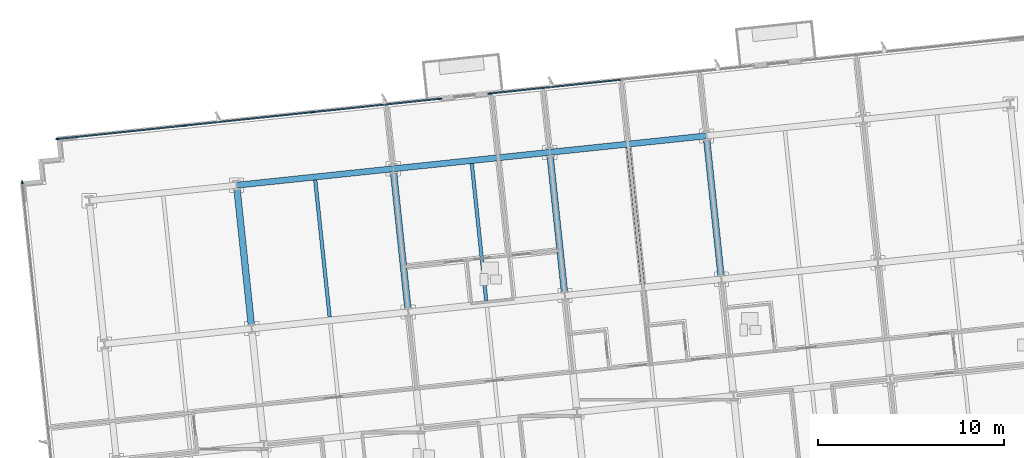
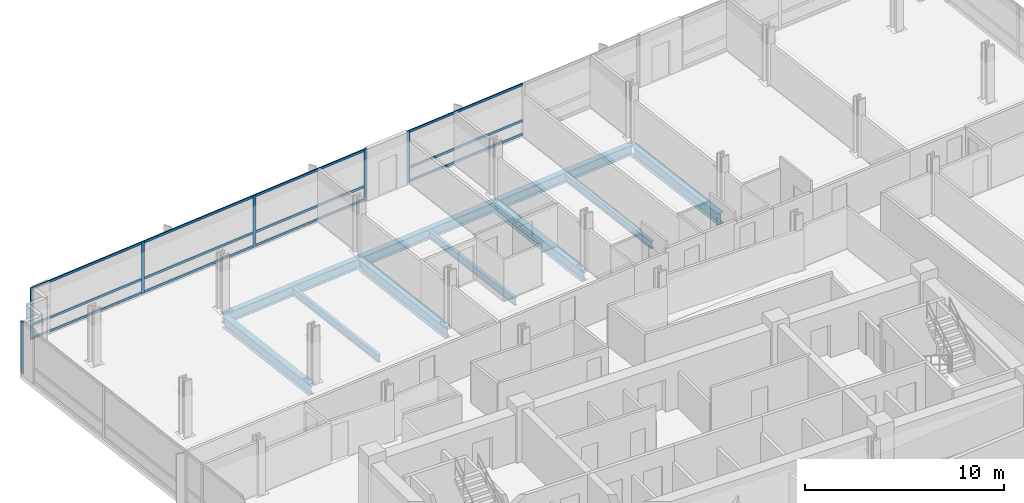
# One storey, part 7 of 17: 18 members, 10 beams, 3 elements without a shape of their own.
"""IFC4 building model written with IfcOpenShell, lengths in metres."""

import ifcopenshell
import ifcopenshell.guid

model = None  # the IFC model being written
_history = None  # IfcOwnerHistory: only IFC2X3 demands one
_inside = {}  # id of a spatial element -> (the spatial element, [elements in it])
_under = {}  # id of a project, library or spatial element -> (it, [spatial elements below it])
_declared = {}  # id of a project -> (the project, [libraries it declares])
_typed = {}  # id of a type object -> (the type object, [elements of that type])
_made_of = {}  # id of a material, layer set ... -> (it, [elements and type objects made of it])


def new_model(schema):
    """Start an empty IFC model of exactly this schema.

    Asked for "IFC4X3", IfcOpenShell would pick the latest addendum, in which some entities
    have other attributes; the version numbers below select the first issue.
    IFC2X3 requires an IfcOwnerHistory on every rooted entity: one is made here for all.
    """
    global model, _history
    if schema == "IFC4X3":
        model = ifcopenshell.file(schema_version=(4, 3, 0, 0))
    else:
        model = ifcopenshell.file(schema=schema)
    _inside.clear()
    _under.clear()
    _declared.clear()
    _typed.clear()
    _made_of.clear()
    _history = None
    if model.schema == "IFC2X3":
        org = make("IfcOrganization", Name="unknown")
        user = make(
            "IfcPersonAndOrganization",
            ThePerson=make("IfcPerson", FamilyName="unknown"),
            TheOrganization=org,
        )
        app = make(
            "IfcApplication",
            ApplicationDeveloper=org,
            Version="unknown",
            ApplicationFullName="unknown",
            ApplicationIdentifier="unknown",
        )
        _history = make(
            "IfcOwnerHistory",
            OwningUser=user,
            OwningApplication=app,
            ChangeAction="ADDED",
            CreationDate=0,
        )
    return model


def make(cls, **values):
    """One entity of the class cls with the attributes given. An attribute that is None is left unset."""
    return model.create_entity(
        cls, **{name: value for name, value in values.items() if value is not None}
    )


def rooted(cls, **values):
    """An entity with a GlobalId (a new one), such as an element, a storey or a relation."""
    return make(cls, GlobalId=ifcopenshell.guid.new(), OwnerHistory=_history, **values)


def si_unit(unit_type, name, prefix=None):
    """IfcSIUnit, for example si_unit("LENGTHUNIT", "METRE", prefix="MILLI")."""
    return make("IfcSIUnit", UnitType=unit_type, Prefix=prefix, Name=name)


def assignment(units):
    """IfcUnitAssignment: the units of a project."""
    return None if units is None else make("IfcUnitAssignment", Units=units)


def point(xyz):
    """IfcCartesianPoint."""
    return None if xyz is None else make("IfcCartesianPoint", Coordinates=xyz)


def direction(xyz):
    """IfcDirection."""
    return None if xyz is None else make("IfcDirection", DirectionRatios=xyz)


def frame(location, z_axis=None, x_axis=None):
    """IfcAxis2Placement3D, a coordinate frame: its origin and axes. An axis left out is left unset."""
    return make(
        "IfcAxis2Placement3D",
        Location=point(location),
        Axis=direction(z_axis),
        RefDirection=direction(x_axis),
    )


def frame_2d(location, x_axis=None):
    """IfcAxis2Placement2D, a coordinate frame in the plane: its origin and x axis."""
    return make(
        "IfcAxis2Placement2D", Location=point(location), RefDirection=direction(x_axis)
    )


def origin():
    """The frame at (0, 0, 0) with its axes left unset."""
    return frame((0.0, 0.0, 0.0))


def origin_2d():
    """The frame at (0, 0) in the plane with its x axis left unset."""
    return frame_2d((0.0, 0.0))


def place(relative_to, where):
    """IfcLocalPlacement: puts the frame where relative to a parent placement (None: the world)."""
    return make(
        "IfcLocalPlacement", PlacementRelTo=relative_to, RelativePlacement=where
    )


def context(
    kind, dimensions, precision=None, world=None, true_north=None, identifier=None
):
    """IfcGeometricRepresentationContext, for example the 3D "Model" context."""
    return make(
        "IfcGeometricRepresentationContext",
        ContextIdentifier=identifier,
        ContextType=kind,
        CoordinateSpaceDimension=dimensions,
        Precision=precision,
        WorldCoordinateSystem=world,
        TrueNorth=true_north,
    )


def subcontext(parent, identifier, kind, view, scale=None):
    """IfcGeometricRepresentationSubContext, for example "Body" below "Model"."""
    return make(
        "IfcGeometricRepresentationSubContext",
        ContextIdentifier=identifier,
        ContextType=kind,
        ParentContext=parent,
        TargetScale=scale,
        TargetView=view,
    )


def project(units=None, contexts=None):
    """IfcProject with its units and contexts."""
    return rooted(
        "IfcProject",
        Name="project",
        RepresentationContexts=contexts,
        UnitsInContext=assignment(units),
    )


def spatial(cls, under=None, at=None, **own):
    """A site, building, storey or space (cls), placed at a placement, below another one or the project."""
    s = rooted(cls, ObjectPlacement=at, **own)
    if under is not None:
        _under.setdefault(under.id(), (under, []))[1].append(s)
    return s


def profile(cls, at=None, kind="AREA", **sizes):
    """A parametric profile (cls). Its sizes go by their IFC names, for example OverallWidth=200.0."""
    return make(cls, ProfileType=kind, Position=at, **sizes)


def rectangle(**sizes):
    """IfcRectangleProfileDef."""
    return profile("IfcRectangleProfileDef", **sizes)


def i_section(**sizes):
    """IfcIShapeProfileDef."""
    return profile("IfcIShapeProfileDef", **sizes)


def extrude(swept, where, along, depth):
    """IfcExtrudedAreaSolid: the profile swept, set in the frame where, extruded along a direction by depth."""
    return make(
        "IfcExtrudedAreaSolid",
        SweptArea=swept,
        Position=where,
        ExtrudedDirection=direction(along),
        Depth=depth,
    )


def shape(context_of_items, identifier, shape_type, items):
    """IfcShapeRepresentation: the items that make up one representation, for example the "Body"."""
    return make(
        "IfcShapeRepresentation",
        ContextOfItems=context_of_items,
        RepresentationIdentifier=identifier,
        RepresentationType=shape_type,
        Items=items,
    )


def material(Name=None, Category=None):
    """IfcMaterial."""
    return make("IfcMaterial", Name=Name, Category=Category)


def material_profile(
    of_material, cross_section, Name=None, Category=None, Priority=None
):
    """IfcMaterialProfile: a cross section and its material."""
    return make(
        "IfcMaterialProfile",
        Name=Name,
        Material=of_material,
        Profile=cross_section,
        Priority=Priority,
        Category=Category,
    )


def profile_set(profiles, Name=None, composite=None):
    """IfcMaterialProfileSet."""
    return make(
        "IfcMaterialProfileSet",
        Name=Name,
        MaterialProfiles=profiles,
        CompositeProfile=composite,
    )


def made_of(thing, what):
    """Note that an element or type object is made of a material, layer set ...; save() writes the relation."""
    if what is not None:
        _made_of.setdefault(what.id(), (what, []))[1].append(thing)
    return thing


def type_object(cls, material=None, **own):
    """A type object (cls), such as IfcWallType, which elements share."""
    return made_of(rooted(cls, **own), material)


def element(
    cls,
    number,
    at=None,
    inside=None,
    cuts=None,
    type_object=None,
    material=None,
    context=None,
    identifier="Body",
    shape_type=None,
    held_by="IfcProductDefinitionShape",
    body=None,
    shapes=None,
    **own,
):
    """One element of the class cls, such as IfcWall. Its Tag is "e" and its number.

    at: its placement. inside: the storey or other place that contains it. cuts: it is an
    opening in that element (IfcRelVoidsElement). A single representation is given by context,
    identifier, shape_type and body (its items); several are given by shapes. held_by: the class
    of the entity that holds the representations. save() writes the other relations.
    """
    e = rooted(cls, Tag="e%d" % number, ObjectPlacement=at, **own)
    if body is not None:
        shapes = [shape(context, identifier, shape_type, body)]
    if shapes is not None:
        e.Representation = make(held_by, Representations=shapes)
    if inside is not None:
        _inside.setdefault(inside.id(), (inside, []))[1].append(e)
    if cuts is not None:
        rooted(
            "IfcRelVoidsElement", RelatingBuildingElement=cuts, RelatedOpeningElement=e
        )
    if type_object is not None:
        _typed.setdefault(type_object.id(), (type_object, []))[1].append(e)
    return made_of(e, material)


def aggregate(whole, parts):
    """IfcRelAggregates: a whole, such as a stair, and the parts it consists of."""
    return rooted("IfcRelAggregates", RelatingObject=whole, RelatedObjects=parts)


def save(model, path):
    """Write the relations noted so far, then the file.

    IfcRelAggregates (storeys below a building ...), IfcRelContainedInSpatialStructure (elements
    in a storey), IfcRelDefinesByType, IfcRelAssociatesMaterial and IfcRelDeclares: one each for
    every whole, place, type object, material and project.
    """
    for whole, parts in _under.values():
        aggregate(whole, parts)
    for where, things in _inside.values():
        rooted(
            "IfcRelContainedInSpatialStructure",
            RelatedElements=things,
            RelatingStructure=where,
        )
    for kind, things in _typed.values():
        rooted("IfcRelDefinesByType", RelatedObjects=things, RelatingType=kind)
    for what, things in _made_of.values():
        rooted("IfcRelAssociatesMaterial", RelatedObjects=things, RelatingMaterial=what)
    for by, libraries in _declared.values():
        rooted("IfcRelDeclares", RelatingContext=by, RelatedDefinitions=libraries)
    model.write(path)


model = new_model("IFC4")

# Units and contexts
model_context = context("Model", 3, precision=1e-05, world=origin(), true_north=direction((0.0, 1.0)))
body_context = subcontext(model_context, "Body", "Model", "MODEL_VIEW")
ifc_project = project(units=[si_unit("LENGTHUNIT", "METRE"), si_unit("AREAUNIT", "SQUARE_METRE"), si_unit("VOLUMEUNIT", "CUBIC_METRE"), si_unit("PLANEANGLEUNIT", "RADIAN"), si_unit("MASSUNIT", "GRAM", prefix="KILO")], contexts=[model_context])

# Site, building, storey
site_placement = place(None, origin())
site = spatial("IfcSite", under=ifc_project, at=site_placement, CompositionType="ELEMENT")
building_placement = place(site_placement, origin())
building = spatial("IfcBuilding", under=site, at=building_placement, Name="Solmavex Isthmus Hotel", CompositionType="ELEMENT")
storey_placement = place(building_placement, frame((0.0, 0.0, 90.449951171875)))
storey = spatial("IfcBuildingStorey", under=building, at=storey_placement, Name="L24", CompositionType="ELEMENT", Elevation=90.449951171875)

# Beams
ifc_material_1 = material(Name="Steel ASTM A992 Grade 50", Category="steel")
ifc_material_profile_1 = material_profile(ifc_material_1, i_section(OverallWidth=0.354736328125, OverallDepth=0.695556640625, WebThickness=0.015380859375, FlangeThickness=0.02490234375, FilletRadius=0.017822265625, at=origin_2d()), Name="W27X146")
ifc_profile_set_1 = profile_set([ifc_material_profile_1], Name="Steel ASTM A992 Grade 50")
beam_type_1 = type_object("IfcBeamType", Name="BM-BG-W27X146", PredefinedType="BEAM", material=ifc_profile_set_1)
for number, where, z_axis, x_axis, name in (
    (1, (-13.135498046875, 8.55859375, -0.607666015625), (-0.1045578893, 0.994518802128, 0.0), (-0.994518802128, -0.1045578893, 0.0), "Floor Beam L24-VG31"),
    (2, (-4.716064453125, 9.443603515625, -0.607666015625), (-0.104525307271, 0.994522227072, 0.0), (-0.994522227072, -0.104525307271, 0.0), "Floor Beam L24-VG35"),
):
    element("IfcBeam", number, at=place(storey_placement, frame(where, z_axis=z_axis, x_axis=x_axis)), inside=storey, type_object=beam_type_1, Name=name, PredefinedType="BEAM", context=body_context, shape_type="SweptSolid", body=[
        extrude(i_section(OverallWidth=0.354736328125, OverallDepth=0.695556640625, WebThickness=0.015380859375, FlangeThickness=0.02490234375, FilletRadius=0.017822265625, at=origin_2d()), origin(), (0.0, 0.0, 1.0), 7.4111328125),
    ])
beam_1_placement = place(storey_placement, frame((3.70361328125, 10.328369140625, -0.607666015625), z_axis=(-0.10452188296, 0.994522586964, 0.0), x_axis=(-0.994522586964, -0.10452188296, 0.0)))
element("IfcBeam", 3, at=beam_1_placement, inside=storey, type_object=beam_type_1, Name="Floor Beam L24-VG39", PredefinedType="BEAM", context=body_context, shape_type="SweptSolid", body=[
    extrude(i_section(OverallWidth=0.354736328125, OverallDepth=0.695556640625, WebThickness=0.015380859375, FlangeThickness=0.02490234375, FilletRadius=0.017822265625, at=origin_2d()), origin(), (0.0, 0.0, 1.0), 7.411376953125),
])
beam_2_placement = place(storey_placement, frame((12.123291015625, 11.21337890625, -0.607666015625), z_axis=(-0.104525307271, 0.994522227072, 0.0), x_axis=(-0.994522227072, -0.104525307271, 0.0)))
element("IfcBeam", 4, at=beam_2_placement, inside=storey, type_object=beam_type_1, Name="Floor Beam L24-VG42", PredefinedType="BEAM", context=body_context, shape_type="SweptSolid", body=[
    extrude(i_section(OverallWidth=0.354736328125, OverallDepth=0.695556640625, WebThickness=0.015380859375, FlangeThickness=0.02490234375, FilletRadius=0.017822265625, at=origin_2d()), origin(), (0.0, 0.0, 1.0), 7.4111328125),
])
ifc_material_profile_2 = material_profile(ifc_material_1, i_section(OverallWidth=0.1904296875, OverallDepth=0.456787109375, WebThickness=0.009033203125, FlangeThickness=0.014404296875, FilletRadius=0.0126953125, at=origin_2d()), Name="W18X50")
ifc_profile_set_2 = profile_set([ifc_material_profile_2], Name="Steel ASTM A992 Grade 50")
beam_type_2 = type_object("IfcBeamType", Name="BM-BJ-W18X50", PredefinedType="JOIST", material=ifc_profile_set_2)
beam_3_placement = place(storey_placement, frame((-8.92578125, 9.0009765625, -0.48828125), z_axis=(-0.10452188296, 0.994522586964, 0.0), x_axis=(-0.994522586964, -0.10452188296, 0.0)))
element("IfcBeam", 5, at=beam_3_placement, inside=storey, type_object=beam_type_2, Name="Secondary Floor Joist L24-J08", PredefinedType="JOIST", context=body_context, shape_type="SweptSolid", body=[
    extrude(i_section(OverallWidth=0.1904296875, OverallDepth=0.456787109375, WebThickness=0.009033203125, FlangeThickness=0.014404296875, FilletRadius=0.0126953125, at=origin_2d()), origin(), (0.0, 0.0, 1.0), 7.411376953125),
])
for number, where, z_axis, x_axis, name in (
    (6, (-0.506103515625, 9.885986328125, -0.48828125), (-0.104525307271, 0.994522227072, 0.0), (-0.994522227072, -0.104525307271, 0.0), "Secondary Floor Joist L24-J12"),
    (7, (7.913330078125, 10.77099609375, -0.48828125), (-0.104525307271, 0.994522227072, 0.0), (-0.994522227072, -0.104525307271, 0.0), "Secondary Floor Joist L24-J15"),
):
    element("IfcBeam", number, at=place(storey_placement, frame(where, z_axis=z_axis, x_axis=x_axis)), inside=storey, type_object=beam_type_2, Name=name, PredefinedType="JOIST", context=body_context, shape_type="SweptSolid", body=[
        extrude(i_section(OverallWidth=0.1904296875, OverallDepth=0.456787109375, WebThickness=0.009033203125, FlangeThickness=0.014404296875, FilletRadius=0.0126953125, at=origin_2d()), origin(), (0.0, 0.0, 1.0), 7.4111328125),
    ])
ifc_material_profile_3 = material_profile(ifc_material_1, i_section(OverallWidth=0.326416015625, OverallDepth=0.621826171875, WebThickness=0.015380859375, FlangeThickness=0.0244140625, FilletRadius=0.01513671875, at=origin_2d()), Name="W24X131")
ifc_profile_set_3 = profile_set([ifc_material_profile_3], Name="Steel ASTM A992 Grade 50")
beam_type_3 = type_object("IfcBeamType", Name="BM-SP-W24X131", PredefinedType="SPANDREL", material=ifc_profile_set_3)
for number, where, z_axis, x_axis, name in (
    (8, (-13.927490234375, 16.091552734375, -0.57080078125), (0.994521085209, 0.104536171134, 0.0), (-0.104536171134, 0.994521085209, 0.0), "Floor Girder L24-UG20"),
    (9, (-5.5078125, 16.9765625, -0.57080078125), (0.994521085209, 0.104536171134, 0.0), (-0.104536171134, 0.994521085209, 0.0), "Floor Girder L24-UG21"),
    (10, (2.911865234375, 17.861572265625, -0.57080078125), (0.994521085209, 0.104536171134, 0.0), (-0.104536171134, 0.994521085209, 0.0), "Floor Girder L24-UG22"),
):
    element("IfcBeam", number, at=place(storey_placement, frame(where, z_axis=z_axis, x_axis=x_axis)), inside=storey, type_object=beam_type_3, Name=name, PredefinedType="SPANDREL", context=body_context, shape_type="SweptSolid", body=[
        extrude(i_section(OverallWidth=0.326416015625, OverallDepth=0.621826171875, WebThickness=0.015380859375, FlangeThickness=0.0244140625, FilletRadius=0.01513671875, at=origin_2d()), origin(), (0.0, 0.0, 1.0), 8.466064453125),
    ])

# Curtain wall, members
ifc_material_2 = material(Name="Aluminium alloy 6063-T6", Category="aluminium")
curtain_wall_type = type_object("IfcCurtainWallType", Name="CW-SYS-03", PredefinedType="NOTDEFINED", material=ifc_material_2)
curtain_wall_1_placement = place(storey_placement, origin())
curtain_wall_1 = element("IfcCurtainWall", 11, at=curtain_wall_1_placement, inside=storey, type_object=curtain_wall_type, Name="Stick Curtain Wall CWL-L24-N1", PredefinedType="NOTDEFINED")
ifc_material_profile_4 = material_profile(ifc_material_2, rectangle(XDim=0.070068359375, YDim=0.179931640625, at=origin_2d()), Name="CWM-70X180")
ifc_profile_set_4 = profile_set([ifc_material_profile_4], Name="Aluminium alloy 6063-T6")
member_type_1 = type_object("IfcMemberType", Name="CW-SYS-03-MUL", PredefinedType="MULLION", material=ifc_profile_set_4)
member_1_placement = place(storey_placement, frame((-23.572998046875, 18.5771484375, 0.0), z_axis=(0.0, 0.0, 1.0), x_axis=(-0.10452832057, 0.994521910366, 0.0)))
member_1 = element("IfcMember", 12, at=member_1_placement, type_object=member_type_1, Name="CW-03 mullion 1", PredefinedType="MULLION", context=body_context, shape_type="SweptSolid", body=[
    extrude(rectangle(XDim=0.070068359375, YDim=0.179931640625, at=origin_2d()), origin(), (0.0, 0.0, 1.0), 3.18994140625),
])
member_2_placement = place(storey_placement, frame((-16.723388671875, 19.296875, 0.0), z_axis=(0.0, 0.0, 1.0), x_axis=(-0.10452832057, 0.994521910366, 0.0)))
member_2 = element("IfcMember", 13, at=member_2_placement, type_object=member_type_1, Name="CW-03 mullion 2", PredefinedType="MULLION", context=body_context, shape_type="SweptSolid", body=[
    extrude(rectangle(XDim=0.070068359375, YDim=0.179931640625, at=origin_2d()), origin(), (0.0, 0.0, 1.0), 3.18994140625),
])
member_3_placement = place(storey_placement, frame((-9.839111328125, 20.0205078125, 0.0), z_axis=(0.0, 0.0, 1.0), x_axis=(-0.10452832057, 0.994521910366, 0.0)))
member_3 = element("IfcMember", 14, at=member_3_placement, type_object=member_type_1, Name="CW-03 mullion 3", PredefinedType="MULLION", context=body_context, shape_type="SweptSolid", body=[
    extrude(rectangle(XDim=0.070068359375, YDim=0.179931640625, at=origin_2d()), origin(), (0.0, 0.0, 1.0), 3.18994140625),
])
member_4_placement = place(storey_placement, frame((-2.989501953125, 20.740478515625, 0.0), z_axis=(0.0, 0.0, 1.0), x_axis=(-0.10452832057, 0.994521910366, 0.0)))
member_4 = element("IfcMember", 15, at=member_4_placement, type_object=member_type_1, Name="CW-03 mullion 4", PredefinedType="MULLION", context=body_context, shape_type="SweptSolid", body=[
    extrude(rectangle(XDim=0.070068359375, YDim=0.179931640625, at=origin_2d()), origin(), (0.0, 0.0, 1.0), 3.18994140625),
])

# Curtain wall, member
curtain_wall_2_placement = place(storey_placement, origin())
curtain_wall_2 = element("IfcCurtainWall", 16, at=curtain_wall_2_placement, inside=storey, type_object=curtain_wall_type, Name="Stick Curtain Wall CWL-L24-N2", PredefinedType="NOTDEFINED")
member_5_placement = place(storey_placement, frame((-0.333984375, 21.01953125, 0.0), z_axis=(0.0, 0.0, 1.0), x_axis=(-0.10452900389, 0.994521838546, 0.0)))
member_5 = element("IfcMember", 17, at=member_5_placement, type_object=member_type_1, Name="CW-03 mullion 1", PredefinedType="MULLION", context=body_context, shape_type="SweptSolid", body=[
    extrude(rectangle(XDim=0.070068359375, YDim=0.179931640625, at=origin_2d()), origin(), (0.0, 0.0, 1.0), 3.18994140625),
])

curtain_wall_3_placement = place(storey_placement, origin())
curtain_wall_3 = element("IfcCurtainWall", 18, at=curtain_wall_3_placement, inside=storey, type_object=curtain_wall_type, Name="Stick Curtain Wall CWL-L24-W1", PredefinedType="NOTDEFINED")
member_6_placement = place(storey_placement, frame((-25.455322265625, 16.25244140625, 0.0), z_axis=(0.0, 0.0, 1.0), x_axis=(-0.994521893044, -0.104528485381, 0.0)))
member_6 = element("IfcMember", 19, at=member_6_placement, type_object=member_type_1, Name="CW-03 mullion 6", PredefinedType="MULLION", context=body_context, shape_type="SweptSolid", body=[
    extrude(rectangle(XDim=0.070068359375, YDim=0.179931640625, at=origin_2d()), origin(), (0.0, 0.0, 1.0), 3.18994140625),
])
aggregate(curtain_wall_3, [member_6])

# Member
ifc_material_profile_5 = material_profile(ifc_material_2, rectangle(XDim=0.070068359375, YDim=0.139892578125, at=origin_2d()), Name="CWT-70X140")
ifc_profile_set_5 = profile_set([ifc_material_profile_5], Name="Aluminium alloy 6063-T6")
member_type_2 = type_object("IfcMemberType", Name="CW-SYS-03-TRN", PredefinedType="USERDEFINED", material=ifc_profile_set_5)
member_7_placement = place(storey_placement, frame((-23.5380859375, 18.58056640625, 0.070068359375), z_axis=(0.994520944536, 0.104537509438, 0.0), x_axis=(-0.104537509438, 0.994520944536, 0.0)))
member_7 = element("IfcMember", 20, at=member_7_placement, type_object=member_type_2, Name="CW-03 transom 1.1", ObjectType="TRANSOM", PredefinedType="USERDEFINED", context=body_context, shape_type="SweptSolid", body=[
    extrude(rectangle(XDim=0.070068359375, YDim=0.139892578125, at=origin_2d()), origin(), (0.0, 0.0, 1.0), 6.817138671875),
])

member_8_placement = place(storey_placement, frame((-23.5380859375, 18.58056640625, 0.900146484375), z_axis=(0.994520944536, 0.104537509438, 0.0), x_axis=(-0.104537509438, 0.994520944536, 0.0)))
member_8 = element("IfcMember", 21, at=member_8_placement, type_object=member_type_2, Name="CW-03 transom 1.2", ObjectType="TRANSOM", PredefinedType="USERDEFINED", context=body_context, shape_type="SweptSolid", body=[
    extrude(rectangle(XDim=0.070068359375, YDim=0.139892578125, at=origin_2d()), origin(), (0.0, 0.0, 1.0), 6.817138671875),
])

member_9_placement = place(storey_placement, frame((-23.5380859375, 18.58056640625, 3.1201171875), z_axis=(0.994520944536, 0.104537509438, 0.0), x_axis=(-0.104537509438, 0.994520944536, 0.0)))
member_9 = element("IfcMember", 22, at=member_9_placement, type_object=member_type_2, Name="CW-03 transom 1.3", ObjectType="TRANSOM", PredefinedType="USERDEFINED", context=body_context, shape_type="SweptSolid", body=[
    extrude(rectangle(XDim=0.070068359375, YDim=0.139892578125, at=origin_2d()), origin(), (0.0, 0.0, 1.0), 6.817138671875),
])

member_10_placement = place(storey_placement, frame((-16.6884765625, 19.300537109375, 0.070068359375), z_axis=(0.994521060183, 0.104536409221, 0.0), x_axis=(-0.104536409221, 0.994521060183, 0.0)))
member_10 = element("IfcMember", 23, at=member_10_placement, type_object=member_type_2, Name="CW-03 transom 2.1", ObjectType="TRANSOM", PredefinedType="USERDEFINED", context=body_context, shape_type="SweptSolid", body=[
    extrude(rectangle(XDim=0.070068359375, YDim=0.139892578125, at=origin_2d()), origin(), (0.0, 0.0, 1.0), 6.852294921875),
])

member_11_placement = place(storey_placement, frame((-16.6884765625, 19.300537109375, 0.900146484375), z_axis=(0.994521060183, 0.104536409221, 0.0), x_axis=(-0.104536409221, 0.994521060183, 0.0)))
member_11 = element("IfcMember", 24, at=member_11_placement, type_object=member_type_2, Name="CW-03 transom 2.2", ObjectType="TRANSOM", PredefinedType="USERDEFINED", context=body_context, shape_type="SweptSolid", body=[
    extrude(rectangle(XDim=0.070068359375, YDim=0.139892578125, at=origin_2d()), origin(), (0.0, 0.0, 1.0), 6.852294921875),
])

member_12_placement = place(storey_placement, frame((-16.6884765625, 19.300537109375, 3.1201171875), z_axis=(0.994521060183, 0.104536409221, 0.0), x_axis=(-0.104536409221, 0.994521060183, 0.0)))
member_12 = element("IfcMember", 25, at=member_12_placement, type_object=member_type_2, Name="CW-03 transom 2.3", ObjectType="TRANSOM", PredefinedType="USERDEFINED", context=body_context, shape_type="SweptSolid", body=[
    extrude(rectangle(XDim=0.070068359375, YDim=0.139892578125, at=origin_2d()), origin(), (0.0, 0.0, 1.0), 6.852294921875),
])

member_13_placement = place(storey_placement, frame((-9.80419921875, 20.024169921875, 0.070068359375), z_axis=(0.99452133588, 0.104533786303, 0.0), x_axis=(-0.104533786303, 0.99452133588, 0.0)))
member_13 = element("IfcMember", 26, at=member_13_placement, type_object=member_type_2, Name="CW-03 transom 3.1", ObjectType="TRANSOM", PredefinedType="USERDEFINED", context=body_context, shape_type="SweptSolid", body=[
    extrude(rectangle(XDim=0.070068359375, YDim=0.139892578125, at=origin_2d()), origin(), (0.0, 0.0, 1.0), 6.8173828125),
])

member_14_placement = place(storey_placement, frame((-9.80419921875, 20.024169921875, 0.900146484375), z_axis=(0.99452133588, 0.104533786303, 0.0), x_axis=(-0.104533786303, 0.99452133588, 0.0)))
member_14 = element("IfcMember", 27, at=member_14_placement, type_object=member_type_2, Name="CW-03 transom 3.2", ObjectType="TRANSOM", PredefinedType="USERDEFINED", context=body_context, shape_type="SweptSolid", body=[
    extrude(rectangle(XDim=0.070068359375, YDim=0.139892578125, at=origin_2d()), origin(), (0.0, 0.0, 1.0), 6.8173828125),
])

member_15_placement = place(storey_placement, frame((-9.80419921875, 20.024169921875, 3.1201171875), z_axis=(0.99452133588, 0.104533786303, 0.0), x_axis=(-0.104533786303, 0.99452133588, 0.0)))
member_15 = element("IfcMember", 28, at=member_15_placement, type_object=member_type_2, Name="CW-03 transom 3.3", ObjectType="TRANSOM", PredefinedType="USERDEFINED", context=body_context, shape_type="SweptSolid", body=[
    extrude(rectangle(XDim=0.070068359375, YDim=0.139892578125, at=origin_2d()), origin(), (0.0, 0.0, 1.0), 6.8173828125),
])

aggregate(curtain_wall_1, [member_1, member_2, member_3, member_4, member_7, member_8, member_9, member_10, member_11, member_12, member_13, member_14, member_15])

member_16_placement = place(storey_placement, frame((-0.29931640625, 21.023193359375, 0.070068359375), z_axis=(0.9945226797, 0.104521000582, 0.0), x_axis=(-0.104521000582, 0.9945226797, 0.0)))
member_16 = element("IfcMember", 29, at=member_16_placement, type_object=member_type_2, Name="CW-03 transom 1.1", ObjectType="TRANSOM", PredefinedType="USERDEFINED", context=body_context, shape_type="SweptSolid", body=[
    extrude(rectangle(XDim=0.070068359375, YDim=0.139892578125, at=origin_2d()), origin(), (0.0, 0.0, 1.0), 7.06103515625),
])

member_17_placement = place(storey_placement, frame((-0.29931640625, 21.023193359375, 0.900146484375), z_axis=(0.9945226797, 0.104521000582, 0.0), x_axis=(-0.104521000582, 0.9945226797, 0.0)))
member_17 = element("IfcMember", 30, at=member_17_placement, type_object=member_type_2, Name="CW-03 transom 1.2", ObjectType="TRANSOM", PredefinedType="USERDEFINED", context=body_context, shape_type="SweptSolid", body=[
    extrude(rectangle(XDim=0.070068359375, YDim=0.139892578125, at=origin_2d()), origin(), (0.0, 0.0, 1.0), 7.06103515625),
])

member_18_placement = place(storey_placement, frame((-0.29931640625, 21.023193359375, 3.1201171875), z_axis=(0.9945226797, 0.104521000582, 0.0), x_axis=(-0.104521000582, 0.9945226797, 0.0)))
member_18 = element("IfcMember", 31, at=member_18_placement, type_object=member_type_2, Name="CW-03 transom 1.3", ObjectType="TRANSOM", PredefinedType="USERDEFINED", context=body_context, shape_type="SweptSolid", body=[
    extrude(rectangle(XDim=0.070068359375, YDim=0.139892578125, at=origin_2d()), origin(), (0.0, 0.0, 1.0), 7.06103515625),
])

aggregate(curtain_wall_2, [member_5, member_16, member_17, member_18])

save(model, "model.ifc")
